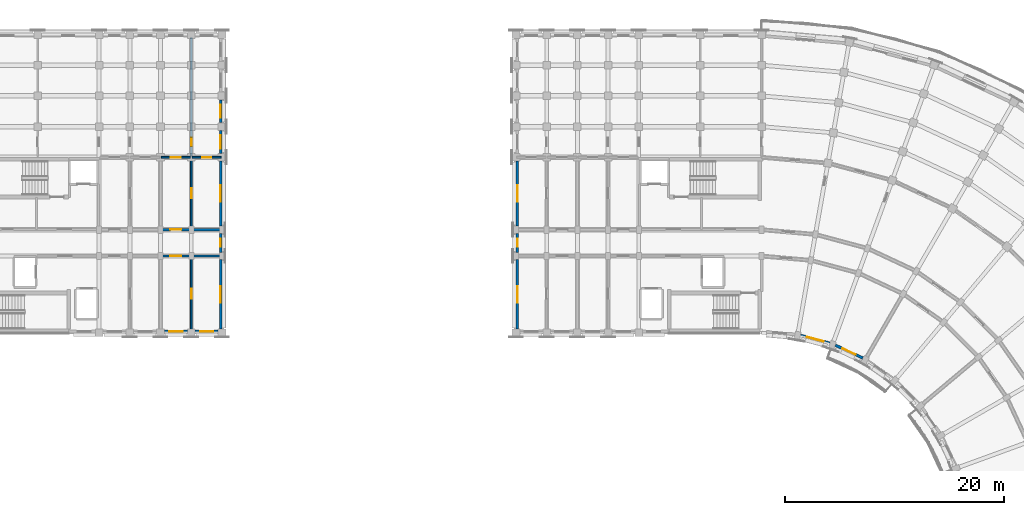
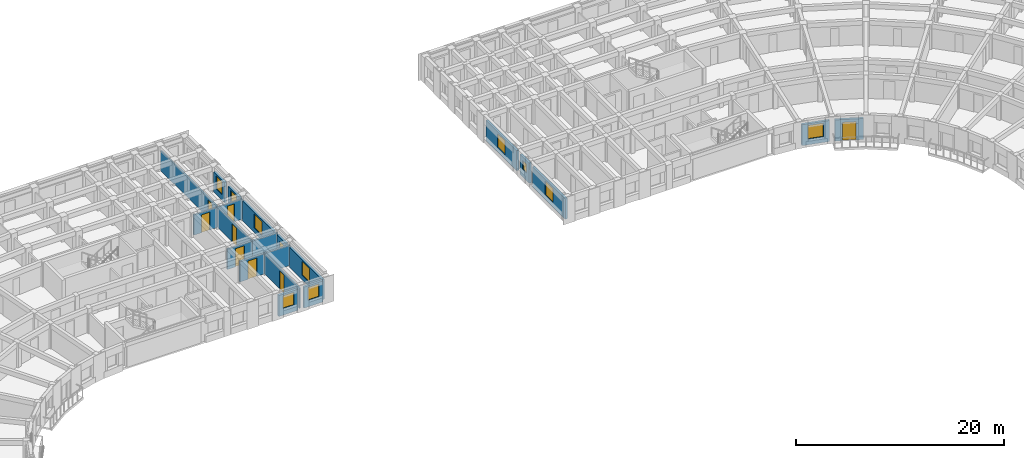
# One storey, part 29 of 54: 21 walls, 11 windows, 8 doors, 19 openings.
"""IFC4 building model written with IfcOpenShell, lengths in metres."""

from ifc_helpers import new_model, si_unit, direction, frame, frame_2d, origin, place, context, subcontext, project, spatial, rectangle, extrude, material, layer, layer_set, type_object, element, fill, save


model = new_model("IFC4")

# Units and contexts
model_context = context("Model", 3, precision=1e-05, world=origin(), true_north=direction((0.0, 1.0)))
body_context = subcontext(model_context, "Body", "Model", "MODEL_VIEW")
ifc_project = project(units=[si_unit("LENGTHUNIT", "METRE"), si_unit("AREAUNIT", "SQUARE_METRE"), si_unit("VOLUMEUNIT", "CUBIC_METRE"), si_unit("PLANEANGLEUNIT", "RADIAN"), si_unit("MASSUNIT", "GRAM", prefix="KILO")], contexts=[model_context])

# Site, building, storey
site_placement = place(None, origin())
site = spatial("IfcSite", under=ifc_project, at=site_placement, CompositionType="ELEMENT")
building_placement = place(site_placement, origin())
building = spatial("IfcBuilding", under=site, at=building_placement, Name="Kiranvali Square Residences", CompositionType="ELEMENT")
storey_placement = place(building_placement, frame((0.0, 0.0, 27.60009765625)))
storey = spatial("IfcBuildingStorey", under=building, at=storey_placement, Name="L08", CompositionType="ELEMENT", Elevation=27.60009765625)

# Wall, opening, door
ifc_material_1 = material(Name="Autoclaved aerated concrete blockwork masonry", Category="masonry")
ifc_layer_1 = layer(ifc_material_1, 0.199951171875)
ifc_layer_set_1 = layer_set([ifc_layer_1], Name="Autoclaved aerated concrete blockwork masonry")
wall_type_1 = type_object("IfcWallType", Name="WL-COR-200", PredefinedType="STANDARD", material=ifc_layer_set_1)
wall_1_placement = place(storey_placement, frame((65.0, 113.60009765625, 0.0), z_axis=(0.0, 0.0, 1.0), x_axis=(1.0, 0.0, 0.0)))
wall_1 = element("IfcWall", 1, at=wall_1_placement, inside=storey, type_object=wall_type_1, Name="L08 architectural wall WL-L08-A-A1CI-2", PredefinedType="STANDARD", context=body_context, shape_type="SweptSolid", body=[
    extrude(rectangle(XDim=2.800048828125, YDim=0.199951171875, at=frame_2d((1.39990234375, 0.0))), origin(), (0.0, 0.0, 1.0), 2.371826171875),
])
opening_1_placement = place(wall_1_placement, frame((0.89990234375, 0.0, 0.0)))
opening_1 = element("IfcOpeningElement", 2, at=opening_1_placement, cuts=wall_1, Name="Opening FD-APT-60", PredefinedType="OPENING", context=body_context, shape_type="SweptSolid", body=[
    extrude(rectangle(XDim=1.0, YDim=2.14990234375, at=frame_2d((0.5, 1.074951171875))), frame((0.0, 0.10986328125, 0.0), z_axis=(0.0, -1.0, 0.0), x_axis=(1.0, 0.0, 0.0)), (0.0, 0.0, 1.0), 0.219970703125),
])
ifc_material_2 = material(Name="Fire-rated acoustic hardwood and mineral-core door assembly", Category="wood")
door_type_1 = type_object("IfcDoorType", Name="DR-APT-1000", OperationType="NOTDEFINED", PredefinedType="DOOR", material=ifc_material_2)
door_1_placement = place(opening_1_placement, origin())
door_1 = element("IfcDoor", 3, at=door_1_placement, inside=storey, type_object=door_type_1, Name="L08 door DR-L08-0527 (DR-APT-1000)", OperationType="SINGLE_SWING_LEFT", OverallHeight=2.14990234375, OverallWidth=1.0, PredefinedType="DOOR", context=body_context, shape_type="SweptSolid", body=[
    extrude(rectangle(XDim=1.0, YDim=2.14990234375, at=frame_2d((0.5, 1.074951171875))), frame((0.0, 0.02490234375, 0.0), z_axis=(0.0, -1.0, 0.0), x_axis=(1.0, 0.0, 0.0)), (0.0, 0.0, 1.0), 0.050048828125),
])
fill(opening_1, door_1)

wall_2_placement = place(storey_placement, frame((65.0, 116.0, 0.0), z_axis=(0.0, 0.0, 1.0), x_axis=(1.0, 0.0, 0.0)))
wall_2 = element("IfcWall", 4, at=wall_2_placement, inside=storey, type_object=wall_type_1, Name="L08 architectural wall WL-L08-A-A1CO-2", PredefinedType="STANDARD", context=body_context, shape_type="SweptSolid", body=[
    extrude(rectangle(XDim=2.800048828125, YDim=0.199951171875, at=frame_2d((1.39990234375, 0.0))), origin(), (0.0, 0.0, 1.0), 2.371826171875),
])
opening_2_placement = place(wall_2_placement, frame((0.89990234375, 0.0, 0.0)))
opening_2 = element("IfcOpeningElement", 5, at=opening_2_placement, cuts=wall_2, Name="Opening FD-APT-60", PredefinedType="OPENING", context=body_context, shape_type="SweptSolid", body=[
    extrude(rectangle(XDim=1.0, YDim=2.14990234375, at=frame_2d((0.5, 1.074951171875))), frame((0.0, 0.10986328125, 0.0), z_axis=(0.0, -1.0, 0.0), x_axis=(1.0, 0.0, 0.0)), (0.0, 0.0, 1.0), 0.219970703125),
])
door_2_placement = place(opening_2_placement, origin())
door_2 = element("IfcDoor", 6, at=door_2_placement, inside=storey, type_object=door_type_1, Name="L08 door DR-L08-0529 (DR-APT-1000)", OperationType="SINGLE_SWING_LEFT", OverallHeight=2.14990234375, OverallWidth=1.0, PredefinedType="DOOR", context=body_context, shape_type="SweptSolid", body=[
    extrude(rectangle(XDim=1.0, YDim=2.14990234375, at=frame_2d((0.5, 1.074951171875))), frame((0.0, 0.02490234375, 0.0), z_axis=(0.0, -1.0, 0.0), x_axis=(1.0, 0.0, 0.0)), (0.0, 0.0, 1.0), 0.050048828125),
])
fill(opening_2, door_2)

# Walls
for number, where, z_axis, x_axis, name in (
    (7, (67.800048828125, 113.60009765625, 0.0), (0.0, 0.0, 1.0), (1.0, 0.0, 0.0), "L08 architectural wall WL-L08-A-A1CI-3"),
    (8, (67.800048828125, 116.0, 0.0), (0.0, 0.0, 1.0), (1.0, 0.0, 0.0), "L08 architectural wall WL-L08-A-A1CO-3"),
):
    element("IfcWall", number, at=place(storey_placement, frame(where, z_axis=z_axis, x_axis=x_axis)), inside=storey, type_object=wall_type_1, Name=name, PredefinedType="STANDARD", context=body_context, shape_type="SweptSolid", body=[
        extrude(rectangle(XDim=2.800048828125, YDim=0.199951171875, at=frame_2d((1.39990234375, 0.0))), origin(), (0.0, 0.0, 1.0), 2.371826171875),
    ])

# Wall, opening, window
ifc_material_3 = material(Name="Breathable lime-rendered clay brick masonry", Category="masonry")
ifc_layer_2 = layer(ifc_material_3, 0.25)
ifc_layer_set_2 = layer_set([ifc_layer_2], Name="Breathable lime-rendered clay brick masonry")
wall_type_2 = type_object("IfcWallType", Name="WL-EXT-250", PredefinedType="STANDARD", material=ifc_layer_set_2)
wall_3_placement = place(storey_placement, frame((65.353515625, 106.72509765625, 0.0), z_axis=(0.0, 0.0, 1.0), x_axis=(1.0, 0.0, 0.0)))
wall_3 = element("IfcWall", 9, at=wall_3_placement, inside=storey, type_object=wall_type_2, Name="L08 exterior wall A-L08-A1I-2", PredefinedType="STANDARD", context=body_context, shape_type="SweptSolid", body=[
    extrude(rectangle(XDim=2.093017578125, YDim=0.25, at=frame_2d((1.04638671875, 0.0))), origin(), (0.0, 0.0, 1.0), 2.471923828125),
])
opening_3_placement = place(wall_3_placement, frame((0.446533203125, 0.0, 0.77197265625)))
opening_3 = element("IfcOpeningElement", 10, at=opening_3_placement, cuts=wall_3, Name="Opening W-06", PredefinedType="OPENING", context=body_context, shape_type="SweptSolid", body=[
    extrude(rectangle(XDim=1.199951171875, YDim=1.5, at=frame_2d((0.60009765625, 0.75))), frame((0.0, 0.135009765625, 0.0), z_axis=(0.0, -1.0, 0.0), x_axis=(1.0, 0.0, 0.0)), (0.0, 0.0, 1.0), 0.27001953125),
])
ifc_material_4 = material(Name="Solar-control low-e double glazing", Category="glass")
window_type_1 = type_object("IfcWindowType", Name="WIN-RES-1200x1500", PartitioningType="SINGLE_PANEL", PredefinedType="WINDOW", material=ifc_material_4)
window_1_placement = place(opening_3_placement, origin())
window_1 = element("IfcWindow", 11, at=window_1_placement, inside=storey, type_object=window_type_1, Name="L08 recessed window A-L08-A1I-2", OverallHeight=1.5, OverallWidth=1.199951171875, PartitioningType="SINGLE_PANEL", PredefinedType="WINDOW", context=body_context, shape_type="SweptSolid", body=[
    extrude(rectangle(XDim=1.199951171875, YDim=1.5, at=frame_2d((0.60009765625, 0.75))), frame((0.0, 0.030029296875, 0.0), z_axis=(0.0, -1.0, 0.0), x_axis=(1.0, 0.0, 0.0)), (0.0, 0.0, 1.0), 0.06005859375),
])
fill(opening_3, window_1)

wall_4_placement = place(storey_placement, frame((68.153564453125, 106.72509765625, 0.0), z_axis=(0.0, 0.0, 1.0), x_axis=(1.0, 0.0, 0.0)))
wall_4 = element("IfcWall", 12, at=wall_4_placement, inside=storey, type_object=wall_type_2, Name="L08 exterior wall A-L08-A1I-3", PredefinedType="STANDARD", context=body_context, shape_type="SweptSolid", body=[
    extrude(rectangle(XDim=2.093017578125, YDim=0.25, at=frame_2d((1.04638671875, 0.0))), origin(), (0.0, 0.0, 1.0), 2.471923828125),
])
opening_4_placement = place(wall_4_placement, frame((0.446533203125, 0.0, 0.77197265625)))
opening_4 = element("IfcOpeningElement", 13, at=opening_4_placement, cuts=wall_4, Name="Opening W-06", PredefinedType="OPENING", context=body_context, shape_type="SweptSolid", body=[
    extrude(rectangle(XDim=1.199951171875, YDim=1.5, at=frame_2d((0.60009765625, 0.75))), frame((0.0, 0.135009765625, 0.0), z_axis=(0.0, -1.0, 0.0), x_axis=(1.0, 0.0, 0.0)), (0.0, 0.0, 1.0), 0.27001953125),
])
window_2_placement = place(opening_4_placement, origin())
window_2 = element("IfcWindow", 14, at=window_2_placement, inside=storey, type_object=window_type_1, Name="L08 recessed window A-L08-A1I-3", OverallHeight=1.5, OverallWidth=1.199951171875, PartitioningType="SINGLE_PANEL", PredefinedType="WINDOW", context=body_context, shape_type="SweptSolid", body=[
    extrude(rectangle(XDim=1.199951171875, YDim=1.5, at=frame_2d((0.60009765625, 0.75))), frame((0.0, 0.030029296875, 0.0), z_axis=(0.0, -1.0, 0.0), x_axis=(1.0, 0.0, 0.0)), (0.0, 0.0, 1.0), 0.06005859375),
])
fill(opening_4, window_2)

wall_5_placement = place(storey_placement, frame((70.47509765625, 106.95361328125, 0.0), z_axis=(0.0, 0.0, 1.0), x_axis=(0.0, 1.0, 0.0)))
wall_5 = element("IfcWall", 15, at=wall_5_placement, inside=storey, type_object=wall_type_2, Name="L08 exterior wall A-L08-A1END-0", PredefinedType="STANDARD", context=body_context, shape_type="SweptSolid", body=[
    extrude(rectangle(XDim=6.31787109375, YDim=0.25, at=frame_2d((3.158935546875, 0.0))), origin(), (0.0, 0.0, 1.0), 2.371826171875),
])
opening_5_placement = place(wall_5_placement, frame((2.396484375, 0.0, 0.52197265625)))
opening_5 = element("IfcOpeningElement", 16, at=opening_5_placement, cuts=wall_5, Name="Opening W-05", PredefinedType="OPENING", context=body_context, shape_type="SweptSolid", body=[
    extrude(rectangle(XDim=1.5, YDim=1.64990234375, at=frame_2d((0.75, 0.824951171875))), frame((0.0, 0.135009765625, 0.0), z_axis=(0.0, -1.0, 0.0), x_axis=(1.0, 0.0, 0.0)), (0.0, 0.0, 1.0), 0.27001953125),
])
window_type_2 = type_object("IfcWindowType", Name="WIN-RES-1500x1650", PartitioningType="DOUBLE_PANEL_VERTICAL", PredefinedType="WINDOW", material=ifc_material_4)
window_3_placement = place(opening_5_placement, origin())
window_3 = element("IfcWindow", 17, at=window_3_placement, inside=storey, type_object=window_type_2, Name="L08 recessed window A-L08-A1END-0", OverallHeight=1.64990234375, OverallWidth=1.5, PartitioningType="DOUBLE_PANEL_VERTICAL", PredefinedType="WINDOW", context=body_context, shape_type="SweptSolid", body=[
    extrude(rectangle(XDim=1.5, YDim=1.64990234375, at=frame_2d((0.75, 0.824951171875))), frame((0.0, 0.030029296875, 0.0), z_axis=(0.0, -1.0, 0.0), x_axis=(1.0, 0.0, 0.0)), (0.0, 0.0, 1.0), 0.06005859375),
])
fill(opening_5, window_3)

wall_6_placement = place(storey_placement, frame((70.47509765625, 113.928466796875, 0.0), z_axis=(0.0, 0.0, 1.0), x_axis=(0.0, 1.0, 0.0)))
wall_6 = element("IfcWall", 18, at=wall_6_placement, inside=storey, type_object=wall_type_2, Name="L08 exterior wall A-L08-A1END-1", PredefinedType="STANDARD", context=body_context, shape_type="SweptSolid", body=[
    extrude(rectangle(XDim=1.742919921875, YDim=0.25, at=frame_2d((0.87158203125, 0.0))), origin(), (0.0, 0.0, 1.0), 2.371826171875),
])
opening_6_placement = place(wall_6_placement, frame((0.49658203125, 0.0, 0.8798828125)))
opening_6 = element("IfcOpeningElement", 19, at=opening_6_placement, cuts=wall_6, Name="Opening W-07", PredefinedType="OPENING", context=body_context, shape_type="SweptSolid", body=[
    extrude(rectangle(XDim=0.75, YDim=1.050048828125, at=frame_2d((0.375, 0.52490234375))), frame((0.0, 0.135009765625, 0.0), z_axis=(0.0, -1.0, 0.0), x_axis=(1.0, 0.0, 0.0)), (0.0, 0.0, 1.0), 0.27001953125),
])
window_type_3 = type_object("IfcWindowType", Name="WIN-WET-750x1050", PartitioningType="SINGLE_PANEL", PredefinedType="WINDOW", material=ifc_material_4)
window_4_placement = place(opening_6_placement, origin())
window_4 = element("IfcWindow", 20, at=window_4_placement, inside=storey, type_object=window_type_3, Name="L08 recessed window A-L08-A1END-1", OverallHeight=1.050048828125, OverallWidth=0.75, PartitioningType="SINGLE_PANEL", PredefinedType="WINDOW", context=body_context, shape_type="SweptSolid", body=[
    extrude(rectangle(XDim=0.75, YDim=1.050048828125, at=frame_2d((0.375, 0.52490234375))), frame((0.0, 0.030029296875, 0.0), z_axis=(0.0, -1.0, 0.0), x_axis=(1.0, 0.0, 0.0)), (0.0, 0.0, 1.0), 0.06005859375),
])
fill(opening_6, window_4)

wall_7_placement = place(storey_placement, frame((70.47509765625, 116.32861328125, 0.0), z_axis=(0.0, 0.0, 1.0), x_axis=(0.0, 1.0, 0.0)))
wall_7 = element("IfcWall", 21, at=wall_7_placement, inside=storey, type_object=wall_type_2, Name="L08 exterior wall A-L08-A1END-2", PredefinedType="STANDARD", context=body_context, shape_type="SweptSolid", body=[
    extrude(rectangle(XDim=5.91796875, YDim=0.25, at=frame_2d((2.958984375, 0.0))), origin(), (0.0, 0.0, 1.0), 2.371826171875),
])
opening_7_placement = place(wall_7_placement, frame((2.221435546875, 0.0, 0.52197265625)))
opening_7 = element("IfcOpeningElement", 22, at=opening_7_placement, cuts=wall_7, Name="Opening W-05", PredefinedType="OPENING", context=body_context, shape_type="SweptSolid", body=[
    extrude(rectangle(XDim=1.5, YDim=1.64990234375, at=frame_2d((0.75, 0.824951171875))), frame((0.0, 0.135009765625, 0.0), z_axis=(0.0, -1.0, 0.0), x_axis=(1.0, 0.0, 0.0)), (0.0, 0.0, 1.0), 0.27001953125),
])
window_5_placement = place(opening_7_placement, origin())
window_5 = element("IfcWindow", 23, at=window_5_placement, inside=storey, type_object=window_type_2, Name="L08 recessed window A-L08-A1END-2", OverallHeight=1.64990234375, OverallWidth=1.5, PartitioningType="DOUBLE_PANEL_VERTICAL", PredefinedType="WINDOW", context=body_context, shape_type="SweptSolid", body=[
    extrude(rectangle(XDim=1.5, YDim=1.64990234375, at=frame_2d((0.75, 0.824951171875))), frame((0.0, 0.030029296875, 0.0), z_axis=(0.0, -1.0, 0.0), x_axis=(1.0, 0.0, 0.0)), (0.0, 0.0, 1.0), 0.06005859375),
])
fill(opening_7, window_5)

wall_8_placement = place(storey_placement, frame((70.47509765625, 122.95361328125, 0.0), z_axis=(0.0, 0.0, 1.0), x_axis=(0.0, 1.0, 0.0)))
wall_8 = element("IfcWall", 24, at=wall_8_placement, inside=storey, type_object=wall_type_2, Name="L08 exterior wall A-L08-A1END-3", PredefinedType="STANDARD", context=body_context, shape_type="SweptSolid", body=[
    extrude(rectangle(XDim=2.0927734375, YDim=0.25, at=frame_2d((1.04638671875, 0.0))), origin(), (0.0, 0.0, 1.0), 2.371826171875),
])
opening_8_placement = place(wall_8_placement, frame((0.446533203125, 0.0, 0.672119140625)))
opening_8 = element("IfcOpeningElement", 25, at=opening_8_placement, cuts=wall_8, Name="Opening W-06", PredefinedType="OPENING", context=body_context, shape_type="SweptSolid", body=[
    extrude(rectangle(XDim=1.199951171875, YDim=1.5, at=frame_2d((0.60009765625, 0.75))), frame((0.0, 0.135009765625, 0.0), z_axis=(0.0, -1.0, 0.0), x_axis=(1.0, 0.0, 0.0)), (0.0, 0.0, 1.0), 0.27001953125),
])
window_6_placement = place(opening_8_placement, origin())
window_6 = element("IfcWindow", 26, at=window_6_placement, inside=storey, type_object=window_type_1, Name="L08 recessed window A-L08-A1END-3", OverallHeight=1.5, OverallWidth=1.199951171875, PartitioningType="SINGLE_PANEL", PredefinedType="WINDOW", context=body_context, shape_type="SweptSolid", body=[
    extrude(rectangle(XDim=1.199951171875, YDim=1.5, at=frame_2d((0.60009765625, 0.75))), frame((0.0, 0.030029296875, 0.0), z_axis=(0.0, -1.0, 0.0), x_axis=(1.0, 0.0, 0.0)), (0.0, 0.0, 1.0), 0.06005859375),
])
fill(opening_8, window_6)

wall_9_placement = place(storey_placement, frame((70.47509765625, 125.75341796875, 0.0), z_axis=(0.0, 0.0, 1.0), x_axis=(0.0, 1.0, 0.0)))
wall_9 = element("IfcWall", 27, at=wall_9_placement, inside=storey, type_object=wall_type_2, Name="L08 exterior wall A-L08-A1END-4", PredefinedType="STANDARD", context=body_context, shape_type="SweptSolid", body=[
    extrude(rectangle(XDim=2.093017578125, YDim=0.25, at=frame_2d((1.04638671875, 0.0))), origin(), (0.0, 0.0, 1.0), 2.371826171875),
])
opening_9_placement = place(wall_9_placement, frame((0.446533203125, 0.0, 0.672119140625)))
opening_9 = element("IfcOpeningElement", 28, at=opening_9_placement, cuts=wall_9, Name="Opening W-06", PredefinedType="OPENING", context=body_context, shape_type="SweptSolid", body=[
    extrude(rectangle(XDim=1.199951171875, YDim=1.5, at=frame_2d((0.60009765625, 0.75))), frame((0.0, 0.135009765625, 0.0), z_axis=(0.0, -1.0, 0.0), x_axis=(1.0, 0.0, 0.0)), (0.0, 0.0, 1.0), 0.27001953125),
])
window_7_placement = place(opening_9_placement, origin())
window_7 = element("IfcWindow", 29, at=window_7_placement, inside=storey, type_object=window_type_1, Name="L08 recessed window A-L08-A1END-4", OverallHeight=1.5, OverallWidth=1.199951171875, PartitioningType="SINGLE_PANEL", PredefinedType="WINDOW", context=body_context, shape_type="SweptSolid", body=[
    extrude(rectangle(XDim=1.199951171875, YDim=1.5, at=frame_2d((0.60009765625, 0.75))), frame((0.0, 0.030029296875, 0.0), z_axis=(0.0, -1.0, 0.0), x_axis=(1.0, 0.0, 0.0)), (0.0, 0.0, 1.0), 0.06005859375),
])
fill(opening_9, window_7)

wall_10_placement = place(storey_placement, frame((123.341796875, 106.369384765625, 0.0), z_axis=(0.0, 0.0, 1.0), x_axis=(0.965935855992, -0.25878161084, 0.0)))
wall_10 = element("IfcWall", 30, at=wall_10_placement, inside=storey, type_object=wall_type_2, Name="L08 exterior wall B-L08-GDN-01", PredefinedType="STANDARD", context=body_context, shape_type="SweptSolid", body=[
    extrude(rectangle(XDim=2.769775390625, YDim=0.25, at=frame_2d((1.384765625, 0.0))), origin(), (0.0, 0.0, 1.0), 2.471923828125),
])
opening_10_placement = place(wall_10_placement, frame((0.60986328125, 0.0, 0.672119140625)))
opening_10 = element("IfcOpeningElement", 31, at=opening_10_placement, cuts=wall_10, Name="Opening W-18", PredefinedType="OPENING", context=body_context, shape_type="SweptSolid", body=[
    extrude(rectangle(XDim=1.550048828125, YDim=1.60009765625, at=frame_2d((0.77490234375, 0.800048828125))), frame((0.0, 0.135009765625, 0.0), z_axis=(0.0, -1.0, 0.0), x_axis=(1.0, 0.0, 0.0)), (0.0, 0.0, 1.0), 0.27001953125),
])
window_type_4 = type_object("IfcWindowType", Name="WIN-GDN-1550x1600", PartitioningType="DOUBLE_PANEL_VERTICAL", PredefinedType="WINDOW", material=ifc_material_4)
window_8_placement = place(opening_10_placement, origin())
window_8 = element("IfcWindow", 32, at=window_8_placement, inside=storey, type_object=window_type_4, Name="L08 recessed window B-L08-GDN-01", OverallHeight=1.60009765625, OverallWidth=1.550048828125, PartitioningType="DOUBLE_PANEL_VERTICAL", PredefinedType="WINDOW", context=body_context, shape_type="SweptSolid", body=[
    extrude(rectangle(XDim=1.550048828125, YDim=1.60009765625, at=frame_2d((0.77490234375, 0.800048828125))), frame((0.0, 0.030029296875, 0.0), z_axis=(0.0, -1.0, 0.0), x_axis=(1.0, 0.0, 0.0)), (0.0, 0.0, 1.0), 0.06005859375),
])
fill(opening_10, window_8)

# Wall, opening, door
wall_11_placement = place(storey_placement, frame((126.5126953125, 105.472412109375, 0.0), z_axis=(0.0, 0.0, 1.0), x_axis=(0.906293449611, -0.422649007088, 0.0)))
wall_11 = element("IfcWall", 33, at=wall_11_placement, inside=storey, type_object=wall_type_2, Name="L08 exterior wall B-L08-GDN-02", PredefinedType="STANDARD", context=body_context, shape_type="SweptSolid", body=[
    extrude(rectangle(XDim=2.769775390625, YDim=0.25, at=frame_2d((1.384765625, 0.0))), origin(), (0.0, 0.0, 1.0), 2.471923828125),
])
opening_11_placement = place(wall_11_placement, frame((0.724853515625, 0.0, 0.0)))
opening_11 = element("IfcOpeningElement", 34, at=opening_11_placement, cuts=wall_11, Name="Opening ED-BAL-3", PredefinedType="OPENING", context=body_context, shape_type="SweptSolid", body=[
    extrude(rectangle(XDim=1.320068359375, YDim=2.14990234375, at=frame_2d((0.66015625, 1.074951171875))), frame((0.0, 0.135009765625, 0.0), z_axis=(0.0, -1.0, 0.0), x_axis=(1.0, 0.0, 0.0)), (0.0, 0.0, 1.0), 0.27001953125),
])
ifc_material_5 = material(Name="Anodised bronze aluminium framing", Category="aluminium")
door_type_2 = type_object("IfcDoorType", Name="DR-BAL-1320", OperationType="NOTDEFINED", PredefinedType="DOOR", material=ifc_material_5)
door_3_placement = place(opening_11_placement, frame((1.320068359375, 0.0, 0.0), z_axis=(0.0, 0.0, 1.0), x_axis=(-1.0, 0.0, 0.0)))
door_3 = element("IfcDoor", 35, at=door_3_placement, inside=storey, type_object=door_type_2, Name="L08 balcony terrace door", OperationType="SINGLE_SWING_RIGHT", OverallHeight=2.14990234375, OverallWidth=1.320068359375, PredefinedType="DOOR", context=body_context, shape_type="SweptSolid", body=[
    extrude(rectangle(XDim=1.320068359375, YDim=2.14990234375, at=frame_2d((0.66015625, 1.074951171875))), frame((0.0, 0.02490234375, 0.0), z_axis=(0.0, -1.0, 0.0), x_axis=(1.0, 0.0, 0.0)), (0.0, 0.0, 1.0), 0.050048828125),
])
fill(opening_11, door_3)

# Wall, opening, window
wall_12_placement = place(storey_placement, frame((97.52490234375, 106.95361328125, 0.0), z_axis=(0.0, 0.0, 1.0), x_axis=(0.0, 1.0, 0.0)))
wall_12 = element("IfcWall", 36, at=wall_12_placement, inside=storey, type_object=wall_type_2, Name="L08 exterior wall B-L08-A1END-0", PredefinedType="STANDARD", context=body_context, shape_type="SweptSolid", body=[
    extrude(rectangle(XDim=6.31787109375, YDim=0.25, at=frame_2d((3.158935546875, 0.0))), origin(), (0.0, 0.0, 1.0), 2.371826171875),
])
opening_12_placement = place(wall_12_placement, frame((2.396484375, 0.0, 0.52197265625)))
opening_12 = element("IfcOpeningElement", 37, at=opening_12_placement, cuts=wall_12, Name="Opening W-05", PredefinedType="OPENING", context=body_context, shape_type="SweptSolid", body=[
    extrude(rectangle(XDim=1.5, YDim=1.64990234375, at=frame_2d((0.75, 0.824951171875))), frame((0.0, 0.135009765625, 0.0), z_axis=(0.0, -1.0, 0.0), x_axis=(1.0, 0.0, 0.0)), (0.0, 0.0, 1.0), 0.27001953125),
])
window_9_placement = place(opening_12_placement, origin())
window_9 = element("IfcWindow", 38, at=window_9_placement, inside=storey, type_object=window_type_2, Name="L08 recessed window B-L08-A1END-0", OverallHeight=1.64990234375, OverallWidth=1.5, PartitioningType="DOUBLE_PANEL_VERTICAL", PredefinedType="WINDOW", context=body_context, shape_type="SweptSolid", body=[
    extrude(rectangle(XDim=1.5, YDim=1.64990234375, at=frame_2d((0.75, 0.824951171875))), frame((0.0, 0.030029296875, 0.0), z_axis=(0.0, -1.0, 0.0), x_axis=(1.0, 0.0, 0.0)), (0.0, 0.0, 1.0), 0.06005859375),
])
fill(opening_12, window_9)

wall_13_placement = place(storey_placement, frame((97.52490234375, 113.928466796875, 0.0), z_axis=(0.0, 0.0, 1.0), x_axis=(0.0, 1.0, 0.0)))
wall_13 = element("IfcWall", 39, at=wall_13_placement, inside=storey, type_object=wall_type_2, Name="L08 exterior wall B-L08-A1END-1", PredefinedType="STANDARD", context=body_context, shape_type="SweptSolid", body=[
    extrude(rectangle(XDim=1.742919921875, YDim=0.25, at=frame_2d((0.87158203125, 0.0))), origin(), (0.0, 0.0, 1.0), 2.371826171875),
])
opening_13_placement = place(wall_13_placement, frame((0.49658203125, 0.0, 0.8798828125)))
opening_13 = element("IfcOpeningElement", 40, at=opening_13_placement, cuts=wall_13, Name="Opening W-07", PredefinedType="OPENING", context=body_context, shape_type="SweptSolid", body=[
    extrude(rectangle(XDim=0.75, YDim=1.050048828125, at=frame_2d((0.375, 0.52490234375))), frame((0.0, 0.135009765625, 0.0), z_axis=(0.0, -1.0, 0.0), x_axis=(1.0, 0.0, 0.0)), (0.0, 0.0, 1.0), 0.27001953125),
])
window_10_placement = place(opening_13_placement, origin())
window_10 = element("IfcWindow", 41, at=window_10_placement, inside=storey, type_object=window_type_3, Name="L08 recessed window B-L08-A1END-1", OverallHeight=1.050048828125, OverallWidth=0.75, PartitioningType="SINGLE_PANEL", PredefinedType="WINDOW", context=body_context, shape_type="SweptSolid", body=[
    extrude(rectangle(XDim=0.75, YDim=1.050048828125, at=frame_2d((0.375, 0.52490234375))), frame((0.0, 0.030029296875, 0.0), z_axis=(0.0, -1.0, 0.0), x_axis=(1.0, 0.0, 0.0)), (0.0, 0.0, 1.0), 0.06005859375),
])
fill(opening_13, window_10)

wall_14_placement = place(storey_placement, frame((97.52490234375, 116.32861328125, 0.0), z_axis=(0.0, 0.0, 1.0), x_axis=(0.0, 1.0, 0.0)))
wall_14 = element("IfcWall", 42, at=wall_14_placement, inside=storey, type_object=wall_type_2, Name="L08 exterior wall B-L08-A1END-2", PredefinedType="STANDARD", context=body_context, shape_type="SweptSolid", body=[
    extrude(rectangle(XDim=5.91796875, YDim=0.25, at=frame_2d((2.958984375, 0.0))), origin(), (0.0, 0.0, 1.0), 2.371826171875),
])
opening_14_placement = place(wall_14_placement, frame((2.221435546875, 0.0, 0.52197265625)))
opening_14 = element("IfcOpeningElement", 43, at=opening_14_placement, cuts=wall_14, Name="Opening W-05", PredefinedType="OPENING", context=body_context, shape_type="SweptSolid", body=[
    extrude(rectangle(XDim=1.5, YDim=1.64990234375, at=frame_2d((0.75, 0.824951171875))), frame((0.0, 0.135009765625, 0.0), z_axis=(0.0, -1.0, 0.0), x_axis=(1.0, 0.0, 0.0)), (0.0, 0.0, 1.0), 0.27001953125),
])
window_11_placement = place(opening_14_placement, origin())
window_11 = element("IfcWindow", 44, at=window_11_placement, inside=storey, type_object=window_type_2, Name="L08 recessed window B-L08-A1END-2", OverallHeight=1.64990234375, OverallWidth=1.5, PartitioningType="DOUBLE_PANEL_VERTICAL", PredefinedType="WINDOW", context=body_context, shape_type="SweptSolid", body=[
    extrude(rectangle(XDim=1.5, YDim=1.64990234375, at=frame_2d((0.75, 0.824951171875))), frame((0.0, 0.030029296875, 0.0), z_axis=(0.0, -1.0, 0.0), x_axis=(1.0, 0.0, 0.0)), (0.0, 0.0, 1.0), 0.06005859375),
])
fill(opening_14, window_11)

# Wall, opening, door
ifc_material_6 = material(Name="Acoustic gypsum board drylined partition", Category="gypsum")
ifc_layer_3 = layer(ifc_material_6, 0.14990234375)
ifc_layer_set_3 = layer_set([ifc_layer_3], Name="Acoustic gypsum board drylined partition")
wall_type_3 = type_object("IfcWallType", Name="WL-PRT-150", PredefinedType="PARTITIONING", material=ifc_layer_set_3)
wall_15_placement = place(storey_placement, frame((67.800048828125, 106.800048828125, 0.0), z_axis=(0.0, 0.0, 1.0), x_axis=(0.0, 1.0, 0.0)))
wall_15 = element("IfcWall", 45, at=wall_15_placement, inside=storey, type_object=wall_type_3, Name="L08 architectural wall WL-L08-A-A1TI-3", PredefinedType="PARTITIONING", context=body_context, shape_type="SweptSolid", body=[
    extrude(rectangle(XDim=6.75, YDim=0.14990234375, at=frame_2d((3.375, 0.0))), origin(), (0.0, 0.0, 1.0), 2.371826171875),
])
opening_15_placement = place(wall_15_placement, frame((2.925048828125, 0.0, 0.0)))
opening_15 = element("IfcOpeningElement", 46, at=opening_15_placement, cuts=wall_15, Name="Opening ID-1", PredefinedType="OPENING", context=body_context, shape_type="SweptSolid", body=[
    extrude(rectangle(XDim=0.89990234375, YDim=2.10009765625, at=frame_2d((0.449951171875, 1.050048828125))), frame((0.0, 0.0849609375, 0.0), z_axis=(0.0, -1.0, 0.0), x_axis=(1.0, 0.0, 0.0)), (0.0, 0.0, 1.0), 0.169921875),
])
ifc_material_7 = material(Name="Solid seasoned teak hardwood joinery", Category="wood")
door_type_3 = type_object("IfcDoorType", Name="DR-INT-900", OperationType="NOTDEFINED", PredefinedType="DOOR", material=ifc_material_7)
door_4_placement = place(opening_15_placement, origin())
door_4 = element("IfcDoor", 47, at=door_4_placement, inside=storey, type_object=door_type_3, Name="L08 door DR-L08-0535 (DR-INT-900)", OperationType="SINGLE_SWING_LEFT", OverallHeight=2.10009765625, OverallWidth=0.89990234375, PredefinedType="DOOR", context=body_context, shape_type="SweptSolid", body=[
    extrude(rectangle(XDim=0.89990234375, YDim=2.10009765625, at=frame_2d((0.449951171875, 1.050048828125))), frame((0.0, 0.02490234375, 0.0), z_axis=(0.0, -1.0, 0.0), x_axis=(1.0, 0.0, 0.0)), (0.0, 0.0, 1.0), 0.050048828125),
])
fill(opening_15, door_4)

wall_16_placement = place(storey_placement, frame((67.800048828125, 116.050048828125, 0.0), z_axis=(0.0, 0.0, 1.0), x_axis=(0.0, 1.0, 0.0)))
wall_16 = element("IfcWall", 48, at=wall_16_placement, inside=storey, type_object=wall_type_3, Name="L08 architectural wall WL-L08-A-A1TO1-3", PredefinedType="PARTITIONING", context=body_context, shape_type="SweptSolid", body=[
    extrude(rectangle(XDim=6.530029296875, YDim=0.14990234375, at=frame_2d((3.26513671875, 0.0))), origin(), (0.0, 0.0, 1.0), 2.371826171875),
])
opening_16_placement = place(wall_16_placement, frame((2.81494140625, 0.0, 0.0)))
opening_16 = element("IfcOpeningElement", 49, at=opening_16_placement, cuts=wall_16, Name="Opening ID-1", PredefinedType="OPENING", context=body_context, shape_type="SweptSolid", body=[
    extrude(rectangle(XDim=0.89990234375, YDim=2.10009765625, at=frame_2d((0.449951171875, 1.050048828125))), frame((0.0, 0.0849609375, 0.0), z_axis=(0.0, -1.0, 0.0), x_axis=(1.0, 0.0, 0.0)), (0.0, 0.0, 1.0), 0.169921875),
])
door_5_placement = place(opening_16_placement, frame((0.89990234375, 0.0, 0.0), z_axis=(0.0, 0.0, 1.0), x_axis=(-1.0, 0.0, 0.0)))
door_5 = element("IfcDoor", 50, at=door_5_placement, inside=storey, type_object=door_type_3, Name="L08 door DR-L08-0536 (DR-INT-900)", OperationType="SINGLE_SWING_RIGHT", OverallHeight=2.10009765625, OverallWidth=0.89990234375, PredefinedType="DOOR", context=body_context, shape_type="SweptSolid", body=[
    extrude(rectangle(XDim=0.89990234375, YDim=2.10009765625, at=frame_2d((0.449951171875, 1.050048828125))), frame((0.0, 0.02490234375, 0.0), z_axis=(0.0, -1.0, 0.0), x_axis=(1.0, 0.0, 0.0)), (0.0, 0.0, 1.0), 0.050048828125),
])
fill(opening_16, door_5)

wall_17_placement = place(storey_placement, frame((67.800048828125, 122.699951171875, 0.0), z_axis=(0.0, 0.0, 1.0), x_axis=(0.0, 1.0, 0.0)))
wall_17 = element("IfcWall", 51, at=wall_17_placement, inside=storey, type_object=wall_type_3, Name="L08 architectural wall WL-L08-A-A1TO2-3", PredefinedType="PARTITIONING", context=body_context, shape_type="SweptSolid", body=[
    extrude(rectangle(XDim=10.820068359375, YDim=0.14990234375, at=frame_2d((5.41015625, 0.0))), origin(), (0.0, 0.0, 1.0), 2.371826171875),
])
opening_17_placement = place(wall_17_placement, frame((0.8994140625, 0.0, 0.0)))
opening_17 = element("IfcOpeningElement", 52, at=opening_17_placement, cuts=wall_17, Name="Opening ID-WET", PredefinedType="OPENING", context=body_context, shape_type="SweptSolid", body=[
    extrude(rectangle(XDim=0.800048828125, YDim=2.10009765625, at=frame_2d((0.39990234375, 1.050048828125))), frame((0.0, 0.0849609375, 0.0), z_axis=(0.0, -1.0, 0.0), x_axis=(1.0, 0.0, 0.0)), (0.0, 0.0, 1.0), 0.169921875),
])
door_type_4 = type_object("IfcDoorType", Name="DR-WET-800", OperationType="NOTDEFINED", PredefinedType="DOOR", material=ifc_material_7)
door_6_placement = place(opening_17_placement, origin())
door_6 = element("IfcDoor", 53, at=door_6_placement, inside=storey, type_object=door_type_4, Name="L08 door DR-L08-0537 (DR-WET-800)", OperationType="SINGLE_SWING_LEFT", OverallHeight=2.10009765625, OverallWidth=0.800048828125, PredefinedType="DOOR", context=body_context, shape_type="SweptSolid", body=[
    extrude(rectangle(XDim=0.800048828125, YDim=2.10009765625, at=frame_2d((0.39990234375, 1.050048828125))), frame((0.0, 0.02490234375, 0.0), z_axis=(0.0, -1.0, 0.0), x_axis=(1.0, 0.0, 0.0)), (0.0, 0.0, 1.0), 0.050048828125),
])
fill(opening_17, door_6)

ifc_layer_4 = layer(ifc_material_1, 0.14990234375)
ifc_layer_set_4 = layer_set([ifc_layer_4], Name="Autoclaved aerated concrete blockwork masonry")
wall_type_4 = type_object("IfcWallType", Name="WL-WET-150", PredefinedType="PLUMBINGWALL", material=ifc_layer_set_4)
wall_18_placement = place(storey_placement, frame((65.080078125, 122.60009765625, 0.0), z_axis=(0.0, 0.0, 1.0), x_axis=(1.0, 0.0, 0.0)))
wall_18 = element("IfcWall", 54, at=wall_18_placement, inside=storey, type_object=wall_type_4, Name="L08 architectural wall WL-L08-A-A1SP-2", PredefinedType="PLUMBINGWALL", context=body_context, shape_type="SweptSolid", body=[
    extrude(rectangle(XDim=2.639892578125, YDim=0.14990234375, at=frame_2d((1.31982421875, 0.0))), origin(), (0.0, 0.0, 1.0), 2.371826171875),
])
opening_18_placement = place(wall_18_placement, frame((0.8701171875, 0.0, 0.0)))
opening_18 = element("IfcOpeningElement", 55, at=opening_18_placement, cuts=wall_18, Name="Opening ID-1", PredefinedType="OPENING", context=body_context, shape_type="SweptSolid", body=[
    extrude(rectangle(XDim=0.89990234375, YDim=2.10009765625, at=frame_2d((0.449951171875, 1.050048828125))), frame((0.0, 0.0849609375, 0.0), z_axis=(0.0, -1.0, 0.0), x_axis=(1.0, 0.0, 0.0)), (0.0, 0.0, 1.0), 0.169921875),
])
door_7_placement = place(opening_18_placement, frame((0.89990234375, 0.0, 0.0), z_axis=(0.0, 0.0, 1.0), x_axis=(-1.0, 0.0, 0.0)))
door_7 = element("IfcDoor", 56, at=door_7_placement, inside=storey, type_object=door_type_3, Name="L08 door DR-L08-0528 (DR-INT-900)", OperationType="SINGLE_SWING_RIGHT", OverallHeight=2.10009765625, OverallWidth=0.89990234375, PredefinedType="DOOR", context=body_context, shape_type="SweptSolid", body=[
    extrude(rectangle(XDim=0.89990234375, YDim=2.10009765625, at=frame_2d((0.449951171875, 1.050048828125))), frame((0.0, 0.02490234375, 0.0), z_axis=(0.0, -1.0, 0.0), x_axis=(1.0, 0.0, 0.0)), (0.0, 0.0, 1.0), 0.050048828125),
])
fill(opening_18, door_7)

wall_19_placement = place(storey_placement, frame((67.8798828125, 122.60009765625, 0.0), z_axis=(0.0, 0.0, 1.0), x_axis=(1.0, 0.0, 0.0)))
wall_19 = element("IfcWall", 57, at=wall_19_placement, inside=storey, type_object=wall_type_4, Name="L08 architectural wall WL-L08-A-A1SP-3", PredefinedType="PLUMBINGWALL", context=body_context, shape_type="SweptSolid", body=[
    extrude(rectangle(XDim=2.64013671875, YDim=0.14990234375, at=frame_2d((1.320068359375, 0.0))), origin(), (0.0, 0.0, 1.0), 2.371826171875),
])
opening_19_placement = place(wall_19_placement, frame((0.919921875, 0.0, 0.0)))
opening_19 = element("IfcOpeningElement", 58, at=opening_19_placement, cuts=wall_19, Name="Opening ID-WET", PredefinedType="OPENING", context=body_context, shape_type="SweptSolid", body=[
    extrude(rectangle(XDim=0.800048828125, YDim=2.10009765625, at=frame_2d((0.39990234375, 1.050048828125))), frame((0.0, 0.0849609375, 0.0), z_axis=(0.0, -1.0, 0.0), x_axis=(1.0, 0.0, 0.0)), (0.0, 0.0, 1.0), 0.169921875),
])
door_8_placement = place(opening_19_placement, frame((0.800048828125, 0.0, 0.0), z_axis=(0.0, 0.0, 1.0), x_axis=(-1.0, 0.0, 0.0)))
door_8 = element("IfcDoor", 59, at=door_8_placement, inside=storey, type_object=door_type_4, Name="L08 door DR-L08-0530 (DR-WET-800)", OperationType="SINGLE_SWING_RIGHT", OverallHeight=2.10009765625, OverallWidth=0.800048828125, PredefinedType="DOOR", context=body_context, shape_type="SweptSolid", body=[
    extrude(rectangle(XDim=0.800048828125, YDim=2.10009765625, at=frame_2d((0.39990234375, 1.050048828125))), frame((0.0, 0.02490234375, 0.0), z_axis=(0.0, -1.0, 0.0), x_axis=(1.0, 0.0, 0.0)), (0.0, 0.0, 1.0), 0.050048828125),
])
fill(opening_19, door_8)

save(model, "model.ifc")
